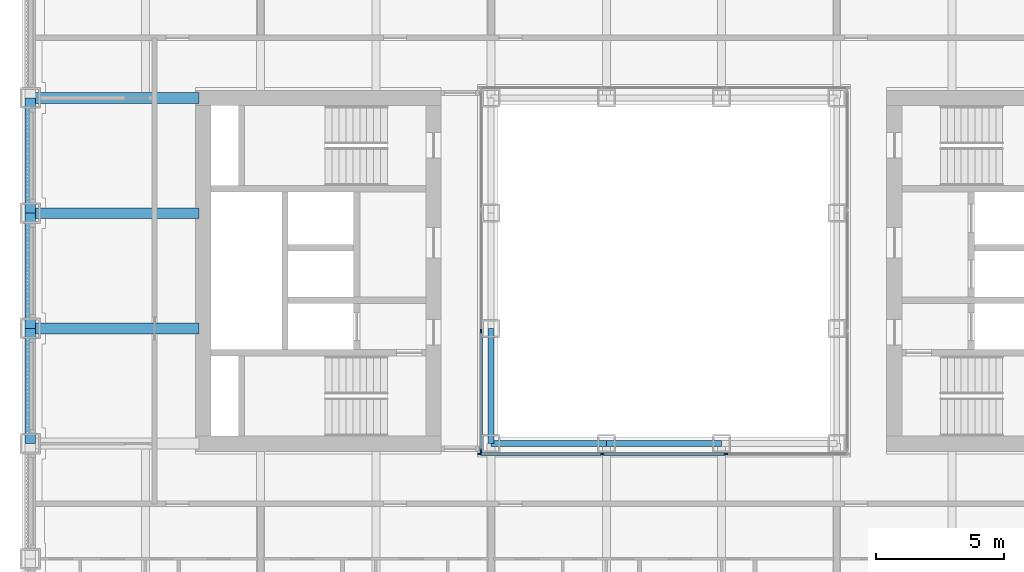
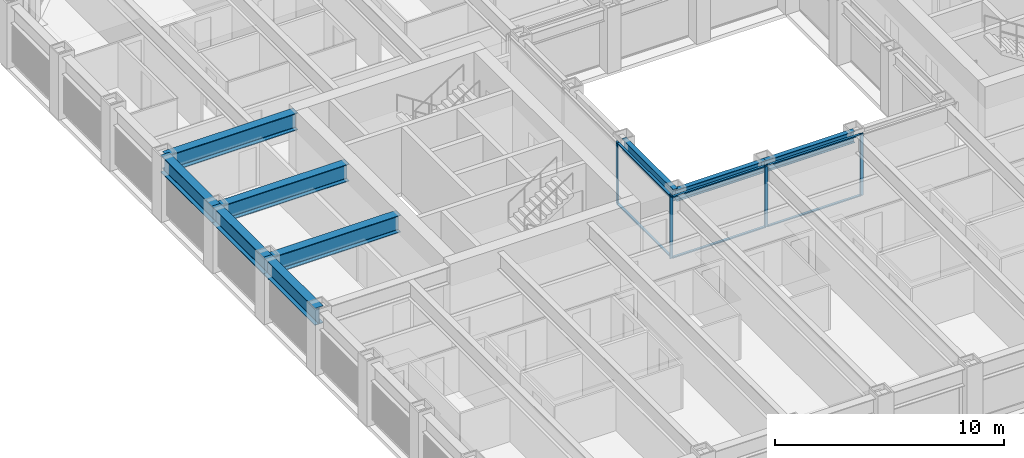
# One storey, part 3 of 21: 11 members, 9 beams, 2 elements without a shape of their own.
"""IFC4 building model written with IfcOpenShell, lengths in metres."""

import ifcopenshell
import ifcopenshell.guid

model = None  # the IFC model being written
_history = None  # IfcOwnerHistory: only IFC2X3 demands one
_inside = {}  # id of a spatial element -> (the spatial element, [elements in it])
_under = {}  # id of a project, library or spatial element -> (it, [spatial elements below it])
_declared = {}  # id of a project -> (the project, [libraries it declares])
_typed = {}  # id of a type object -> (the type object, [elements of that type])
_made_of = {}  # id of a material, layer set ... -> (it, [elements and type objects made of it])


def new_model(schema):
    """Start an empty IFC model of exactly this schema.

    Asked for "IFC4X3", IfcOpenShell would pick the latest addendum, in which some entities
    have other attributes; the version numbers below select the first issue.
    IFC2X3 requires an IfcOwnerHistory on every rooted entity: one is made here for all.
    """
    global model, _history
    if schema == "IFC4X3":
        model = ifcopenshell.file(schema_version=(4, 3, 0, 0))
    else:
        model = ifcopenshell.file(schema=schema)
    _inside.clear()
    _under.clear()
    _declared.clear()
    _typed.clear()
    _made_of.clear()
    _history = None
    if model.schema == "IFC2X3":
        org = make("IfcOrganization", Name="unknown")
        user = make(
            "IfcPersonAndOrganization",
            ThePerson=make("IfcPerson", FamilyName="unknown"),
            TheOrganization=org,
        )
        app = make(
            "IfcApplication",
            ApplicationDeveloper=org,
            Version="unknown",
            ApplicationFullName="unknown",
            ApplicationIdentifier="unknown",
        )
        _history = make(
            "IfcOwnerHistory",
            OwningUser=user,
            OwningApplication=app,
            ChangeAction="ADDED",
            CreationDate=0,
        )
    return model


def make(cls, **values):
    """One entity of the class cls with the attributes given. An attribute that is None is left unset."""
    return model.create_entity(
        cls, **{name: value for name, value in values.items() if value is not None}
    )


def rooted(cls, **values):
    """An entity with a GlobalId (a new one), such as an element, a storey or a relation."""
    return make(cls, GlobalId=ifcopenshell.guid.new(), OwnerHistory=_history, **values)


def si_unit(unit_type, name, prefix=None):
    """IfcSIUnit, for example si_unit("LENGTHUNIT", "METRE", prefix="MILLI")."""
    return make("IfcSIUnit", UnitType=unit_type, Prefix=prefix, Name=name)


def assignment(units):
    """IfcUnitAssignment: the units of a project."""
    return None if units is None else make("IfcUnitAssignment", Units=units)


def point(xyz):
    """IfcCartesianPoint."""
    return None if xyz is None else make("IfcCartesianPoint", Coordinates=xyz)


def direction(xyz):
    """IfcDirection."""
    return None if xyz is None else make("IfcDirection", DirectionRatios=xyz)


def frame(location, z_axis=None, x_axis=None):
    """IfcAxis2Placement3D, a coordinate frame: its origin and axes. An axis left out is left unset."""
    return make(
        "IfcAxis2Placement3D",
        Location=point(location),
        Axis=direction(z_axis),
        RefDirection=direction(x_axis),
    )


def frame_2d(location, x_axis=None):
    """IfcAxis2Placement2D, a coordinate frame in the plane: its origin and x axis."""
    return make(
        "IfcAxis2Placement2D", Location=point(location), RefDirection=direction(x_axis)
    )


def origin():
    """The frame at (0, 0, 0) with its axes left unset."""
    return frame((0.0, 0.0, 0.0))


def origin_2d():
    """The frame at (0, 0) in the plane with its x axis left unset."""
    return frame_2d((0.0, 0.0))


def place(relative_to, where):
    """IfcLocalPlacement: puts the frame where relative to a parent placement (None: the world)."""
    return make(
        "IfcLocalPlacement", PlacementRelTo=relative_to, RelativePlacement=where
    )


def context(
    kind, dimensions, precision=None, world=None, true_north=None, identifier=None
):
    """IfcGeometricRepresentationContext, for example the 3D "Model" context."""
    return make(
        "IfcGeometricRepresentationContext",
        ContextIdentifier=identifier,
        ContextType=kind,
        CoordinateSpaceDimension=dimensions,
        Precision=precision,
        WorldCoordinateSystem=world,
        TrueNorth=true_north,
    )


def subcontext(parent, identifier, kind, view, scale=None):
    """IfcGeometricRepresentationSubContext, for example "Body" below "Model"."""
    return make(
        "IfcGeometricRepresentationSubContext",
        ContextIdentifier=identifier,
        ContextType=kind,
        ParentContext=parent,
        TargetScale=scale,
        TargetView=view,
    )


def project(units=None, contexts=None):
    """IfcProject with its units and contexts."""
    return rooted(
        "IfcProject",
        Name="project",
        RepresentationContexts=contexts,
        UnitsInContext=assignment(units),
    )


def spatial(cls, under=None, at=None, **own):
    """A site, building, storey or space (cls), placed at a placement, below another one or the project."""
    s = rooted(cls, ObjectPlacement=at, **own)
    if under is not None:
        _under.setdefault(under.id(), (under, []))[1].append(s)
    return s


def profile(cls, at=None, kind="AREA", **sizes):
    """A parametric profile (cls). Its sizes go by their IFC names, for example OverallWidth=200.0."""
    return make(cls, ProfileType=kind, Position=at, **sizes)


def rectangle(**sizes):
    """IfcRectangleProfileDef."""
    return profile("IfcRectangleProfileDef", **sizes)


def i_section(**sizes):
    """IfcIShapeProfileDef."""
    return profile("IfcIShapeProfileDef", **sizes)


def extrude(swept, where, along, depth):
    """IfcExtrudedAreaSolid: the profile swept, set in the frame where, extruded along a direction by depth."""
    return make(
        "IfcExtrudedAreaSolid",
        SweptArea=swept,
        Position=where,
        ExtrudedDirection=direction(along),
        Depth=depth,
    )


def shape(context_of_items, identifier, shape_type, items):
    """IfcShapeRepresentation: the items that make up one representation, for example the "Body"."""
    return make(
        "IfcShapeRepresentation",
        ContextOfItems=context_of_items,
        RepresentationIdentifier=identifier,
        RepresentationType=shape_type,
        Items=items,
    )


def material(Name=None, Category=None):
    """IfcMaterial."""
    return make("IfcMaterial", Name=Name, Category=Category)


def material_profile(
    of_material, cross_section, Name=None, Category=None, Priority=None
):
    """IfcMaterialProfile: a cross section and its material."""
    return make(
        "IfcMaterialProfile",
        Name=Name,
        Material=of_material,
        Profile=cross_section,
        Priority=Priority,
        Category=Category,
    )


def profile_set(profiles, Name=None, composite=None):
    """IfcMaterialProfileSet."""
    return make(
        "IfcMaterialProfileSet",
        Name=Name,
        MaterialProfiles=profiles,
        CompositeProfile=composite,
    )


def made_of(thing, what):
    """Note that an element or type object is made of a material, layer set ...; save() writes the relation."""
    if what is not None:
        _made_of.setdefault(what.id(), (what, []))[1].append(thing)
    return thing


def type_object(cls, material=None, **own):
    """A type object (cls), such as IfcWallType, which elements share."""
    return made_of(rooted(cls, **own), material)


def element(
    cls,
    number,
    at=None,
    inside=None,
    cuts=None,
    type_object=None,
    material=None,
    context=None,
    identifier="Body",
    shape_type=None,
    held_by="IfcProductDefinitionShape",
    body=None,
    shapes=None,
    **own,
):
    """One element of the class cls, such as IfcWall. Its Tag is "e" and its number.

    at: its placement. inside: the storey or other place that contains it. cuts: it is an
    opening in that element (IfcRelVoidsElement). A single representation is given by context,
    identifier, shape_type and body (its items); several are given by shapes. held_by: the class
    of the entity that holds the representations. save() writes the other relations.
    """
    e = rooted(cls, Tag="e%d" % number, ObjectPlacement=at, **own)
    if body is not None:
        shapes = [shape(context, identifier, shape_type, body)]
    if shapes is not None:
        e.Representation = make(held_by, Representations=shapes)
    if inside is not None:
        _inside.setdefault(inside.id(), (inside, []))[1].append(e)
    if cuts is not None:
        rooted(
            "IfcRelVoidsElement", RelatingBuildingElement=cuts, RelatedOpeningElement=e
        )
    if type_object is not None:
        _typed.setdefault(type_object.id(), (type_object, []))[1].append(e)
    return made_of(e, material)


def aggregate(whole, parts):
    """IfcRelAggregates: a whole, such as a stair, and the parts it consists of."""
    return rooted("IfcRelAggregates", RelatingObject=whole, RelatedObjects=parts)


def save(model, path):
    """Write the relations noted so far, then the file.

    IfcRelAggregates (storeys below a building ...), IfcRelContainedInSpatialStructure (elements
    in a storey), IfcRelDefinesByType, IfcRelAssociatesMaterial and IfcRelDeclares: one each for
    every whole, place, type object, material and project.
    """
    for whole, parts in _under.values():
        aggregate(whole, parts)
    for where, things in _inside.values():
        rooted(
            "IfcRelContainedInSpatialStructure",
            RelatedElements=things,
            RelatingStructure=where,
        )
    for kind, things in _typed.values():
        rooted("IfcRelDefinesByType", RelatedObjects=things, RelatingType=kind)
    for what, things in _made_of.values():
        rooted("IfcRelAssociatesMaterial", RelatedObjects=things, RelatingMaterial=what)
    for by, libraries in _declared.values():
        rooted("IfcRelDeclares", RelatingContext=by, RelatedDefinitions=libraries)
    model.write(path)


model = new_model("IFC4")

# Units and contexts
model_context = context("Model", 3, precision=1e-05, world=origin(), true_north=direction((0.0, 1.0)))
body_context = subcontext(model_context, "Body", "Model", "MODEL_VIEW")
ifc_project = project(units=[si_unit("LENGTHUNIT", "METRE"), si_unit("AREAUNIT", "SQUARE_METRE"), si_unit("VOLUMEUNIT", "CUBIC_METRE"), si_unit("PLANEANGLEUNIT", "RADIAN"), si_unit("MASSUNIT", "GRAM", prefix="KILO")], contexts=[model_context])

# Site, building, storey
site_placement = place(None, origin())
site = spatial("IfcSite", under=ifc_project, at=site_placement, CompositionType="ELEMENT")
building_placement = place(site_placement, origin())
building = spatial("IfcBuilding", under=site, at=building_placement, Name="Msasa Ring Tower", CompositionType="ELEMENT")
storey_placement = place(building_placement, frame((0.0, 0.0, 51.0)))
storey = spatial("IfcBuildingStorey", under=building, at=storey_placement, Name="L12", CompositionType="ELEMENT", Elevation=51.0)

# Curtain wall, members
ifc_material_1 = material(Name="Aluminium curtain wall with clear glass", Category="aluminium")
curtain_wall_type = type_object("IfcCurtainWallType", Name="CW-W LIGHT WELL CURTAIN WALL", PredefinedType="NOTDEFINED", material=ifc_material_1)
curtain_wall_1_placement = place(storey_placement, origin())
curtain_wall_1 = element("IfcCurtainWall", 1, at=curtain_wall_1_placement, inside=storey, type_object=curtain_wall_type, Name="Light well curtain wall S L12", PredefinedType="NOTDEFINED")
ifc_material_2 = material(Name="Aluminium mullion", Category="aluminium")
ifc_material_profile_1 = material_profile(ifc_material_2, rectangle(XDim=0.06005859375, YDim=0.159912109375, at=origin_2d()), Name="AL 60x160")
ifc_profile_set_1 = profile_set([ifc_material_profile_1], Name="Aluminium mullion")
member_type_1 = type_object("IfcMemberType", Name="CW-W MULLION 60x160", PredefinedType="MULLION", material=ifc_profile_set_1)
member_1_placement = place(storey_placement, frame((-7.199951171875, -7.14990234375, 0.0), z_axis=(0.0, 0.0, 1.0), x_axis=(0.0, 1.0, 0.0)))
member_1 = element("IfcMember", 2, at=member_1_placement, type_object=member_type_1, Name="CW-W mullion 1", PredefinedType="MULLION", context=body_context, shape_type="SweptSolid", body=[
    extrude(rectangle(XDim=0.06005859375, YDim=0.159912109375, at=origin_2d()), origin(), (0.0, 0.0, 1.0), 3.300048828125),
])
member_2_placement = place(storey_placement, frame((-2.409912109375, -7.14990234375, 0.0), z_axis=(0.0, 0.0, 1.0), x_axis=(0.0, 1.0, 0.0)))
member_2 = element("IfcMember", 3, at=member_2_placement, type_object=member_type_1, Name="CW-W mullion 2", PredefinedType="MULLION", context=body_context, shape_type="SweptSolid", body=[
    extrude(rectangle(XDim=0.06005859375, YDim=0.159912109375, at=origin_2d()), origin(), (0.0, 0.0, 1.0), 3.300048828125),
])
member_3_placement = place(storey_placement, frame((2.409912109375, -7.14990234375, 0.0), z_axis=(0.0, 0.0, 1.0), x_axis=(0.0, 1.0, 0.0)))
member_3 = element("IfcMember", 4, at=member_3_placement, type_object=member_type_1, Name="CW-W mullion 3", PredefinedType="MULLION", context=body_context, shape_type="SweptSolid", body=[
    extrude(rectangle(XDim=0.06005859375, YDim=0.159912109375, at=origin_2d()), origin(), (0.0, 0.0, 1.0), 3.300048828125),
])

curtain_wall_2_placement = place(storey_placement, origin())
curtain_wall_2 = element("IfcCurtainWall", 5, at=curtain_wall_2_placement, inside=storey, type_object=curtain_wall_type, Name="Light well curtain wall W L12", PredefinedType="NOTDEFINED")
member_4_placement = place(storey_placement, frame((-7.14990234375, -7.0400390625, 0.0), z_axis=(0.0, 0.0, 1.0), x_axis=(-1.0, 0.0, 0.0)))
member_4 = element("IfcMember", 6, at=member_4_placement, type_object=member_type_1, Name="CW-W mullion 1", PredefinedType="MULLION", context=body_context, shape_type="SweptSolid", body=[
    extrude(rectangle(XDim=0.06005859375, YDim=0.159912109375, at=origin_2d()), origin(), (0.0, 0.0, 1.0), 3.300048828125),
])
member_5_placement = place(storey_placement, frame((-7.14990234375, -2.356689453125, 0.0), z_axis=(0.0, 0.0, 1.0), x_axis=(-1.0, 0.0, 0.0)))
member_5 = element("IfcMember", 7, at=member_5_placement, type_object=member_type_1, Name="CW-W mullion 2", PredefinedType="MULLION", context=body_context, shape_type="SweptSolid", body=[
    extrude(rectangle(XDim=0.06005859375, YDim=0.159912109375, at=origin_2d()), origin(), (0.0, 0.0, 1.0), 3.300048828125),
])

# Member
ifc_material_3 = material(Name="Aluminium transom", Category="aluminium")
ifc_material_profile_2 = material_profile(ifc_material_3, rectangle(XDim=0.1201171875, YDim=0.06005859375, at=origin_2d()), Name="AL 60x120")
ifc_profile_set_2 = profile_set([ifc_material_profile_2], Name="Aluminium transom")
member_type_2 = type_object("IfcMemberType", Name="CW-W TRANSOM 60x120", PredefinedType="USERDEFINED", material=ifc_profile_set_2)
member_6_placement = place(storey_placement, frame((-7.169921875, -7.14990234375, 0.030029296875), z_axis=(1.0, 0.0, 0.0), x_axis=(0.0, 1.0, 0.0)))
member_6 = element("IfcMember", 8, at=member_6_placement, type_object=member_type_2, Name="CW-W transom 1.1", ObjectType="TRANSOM", PredefinedType="USERDEFINED", context=body_context, shape_type="SweptSolid", body=[
    extrude(rectangle(XDim=0.1201171875, YDim=0.06005859375, at=origin_2d()), origin(), (0.0, 0.0, 1.0), 4.72998046875),
])

member_7_placement = place(storey_placement, frame((-7.169921875, -7.14990234375, 3.27001953125), z_axis=(1.0, 0.0, 0.0), x_axis=(0.0, 1.0, 0.0)))
member_7 = element("IfcMember", 9, at=member_7_placement, type_object=member_type_2, Name="CW-W transom 1.2", ObjectType="TRANSOM", PredefinedType="USERDEFINED", context=body_context, shape_type="SweptSolid", body=[
    extrude(rectangle(XDim=0.1201171875, YDim=0.06005859375, at=origin_2d()), origin(), (0.0, 0.0, 1.0), 4.72998046875),
])

member_8_placement = place(storey_placement, frame((-2.3798828125, -7.14990234375, 0.030029296875), z_axis=(1.0, 0.0, 0.0), x_axis=(0.0, 1.0, 0.0)))
member_8 = element("IfcMember", 10, at=member_8_placement, type_object=member_type_2, Name="CW-W transom 2.1", ObjectType="TRANSOM", PredefinedType="USERDEFINED", context=body_context, shape_type="SweptSolid", body=[
    extrude(rectangle(XDim=0.1201171875, YDim=0.06005859375, at=origin_2d()), origin(), (0.0, 0.0, 1.0), 4.759765625),
])

member_9_placement = place(storey_placement, frame((-2.3798828125, -7.14990234375, 3.27001953125), z_axis=(1.0, 0.0, 0.0), x_axis=(0.0, 1.0, 0.0)))
member_9 = element("IfcMember", 11, at=member_9_placement, type_object=member_type_2, Name="CW-W transom 2.2", ObjectType="TRANSOM", PredefinedType="USERDEFINED", context=body_context, shape_type="SweptSolid", body=[
    extrude(rectangle(XDim=0.1201171875, YDim=0.06005859375, at=origin_2d()), origin(), (0.0, 0.0, 1.0), 4.759765625),
])

aggregate(curtain_wall_1, [member_1, member_2, member_3, member_6, member_7, member_8, member_9])

member_10_placement = place(storey_placement, frame((-7.14990234375, -7.010009765625, 0.030029296875), z_axis=(0.0, 1.0, 0.0), x_axis=(-1.0, 0.0, 0.0)))
member_10 = element("IfcMember", 12, at=member_10_placement, type_object=member_type_2, Name="CW-W transom 1.1", ObjectType="TRANSOM", PredefinedType="USERDEFINED", context=body_context, shape_type="SweptSolid", body=[
    extrude(rectangle(XDim=0.1201171875, YDim=0.06005859375, at=origin_2d()), origin(), (0.0, 0.0, 1.0), 4.623291015625),
])

member_11_placement = place(storey_placement, frame((-7.14990234375, -7.010009765625, 3.27001953125), z_axis=(0.0, 1.0, 0.0), x_axis=(-1.0, 0.0, 0.0)))
member_11 = element("IfcMember", 13, at=member_11_placement, type_object=member_type_2, Name="CW-W transom 1.2", ObjectType="TRANSOM", PredefinedType="USERDEFINED", context=body_context, shape_type="SweptSolid", body=[
    extrude(rectangle(XDim=0.1201171875, YDim=0.06005859375, at=origin_2d()), origin(), (0.0, 0.0, 1.0), 4.623291015625),
])

aggregate(curtain_wall_2, [member_4, member_5, member_10, member_11])

# Beams
ifc_material_4 = material(Name="Steel S355", Category="steel")
ifc_material_profile_3 = material_profile(ifc_material_4, i_section(OverallWidth=0.42041015625, OverallDepth=0.9208984375, WebThickness=0.021484375, FlangeThickness=0.03662109375, FilletRadius=0.024169921875, at=origin_2d()), Name="UB 914x419x388")
ifc_profile_set_3 = profile_set([ifc_material_profile_3], Name="Steel S355")
beam_type_1 = type_object("IfcBeamType", Name="FB2 UB 914x419x388", PredefinedType="BEAM", material=ifc_profile_set_3)
for number, where, z_axis, x_axis, name in (
    (14, (-24.75, -2.25, 2.839599609375), (1.0, 0.0, 0.0), (0.0, 1.0, 0.0), "Floor beam W -2.25 under L13"),
    (15, (-24.75, 2.25, 2.839599609375), (1.0, 0.0, 0.0), (0.0, 1.0, 0.0), "Floor beam W +2.25 under L13"),
):
    element("IfcBeam", number, at=place(storey_placement, frame(where, z_axis=z_axis, x_axis=x_axis)), inside=storey, type_object=beam_type_1, Name=name, PredefinedType="BEAM", context=body_context, shape_type="SweptSolid", body=[
        extrude(i_section(OverallWidth=0.42041015625, OverallDepth=0.9208984375, WebThickness=0.021484375, FlangeThickness=0.03662109375, FilletRadius=0.024169921875, at=origin_2d()), origin(), (0.0, 0.0, 1.0), 6.60009765625),
    ])
ifc_material_5 = material(Name="Steel S355", Category="steel")
ifc_material_profile_4 = material_profile(ifc_material_5, i_section(OverallWidth=0.42041015625, OverallDepth=0.9208984375, WebThickness=0.021484375, FlangeThickness=0.03662109375, FilletRadius=0.024169921875, at=origin_2d()), Name="UB 914x419x388")
ifc_profile_set_4 = profile_set([ifc_material_profile_4], Name="Steel S355")
beam_type_2 = type_object("IfcBeamType", Name="GB1 UB 914x419x388", PredefinedType="BEAM", material=ifc_profile_set_4)
beam_placement = place(storey_placement, frame((-18.14990234375, 6.75, 2.839599609375), z_axis=(-1.0, 0.0, 0.0), x_axis=(0.0, -1.0, 0.0)))
element("IfcBeam", 16, at=beam_placement, inside=storey, type_object=beam_type_2, Name="Girder W +6.75 under L13", PredefinedType="BEAM", context=body_context, shape_type="SweptSolid", body=[
    extrude(i_section(OverallWidth=0.42041015625, OverallDepth=0.9208984375, WebThickness=0.021484375, FlangeThickness=0.03662109375, FilletRadius=0.024169921875, at=origin_2d()), origin(), (0.0, 0.0, 1.0), 6.60009765625),
])
ifc_material_6 = material(Name="Steel S355", Category="steel")
ifc_material_profile_5 = material_profile(ifc_material_6, i_section(OverallWidth=0.230224609375, OverallDepth=0.6171875, WebThickness=0.01318359375, FlangeThickness=0.022216796875, FilletRadius=0.0126953125, at=origin_2d()), Name="UB 610x229x140")
ifc_profile_set_5 = profile_set([ifc_material_profile_5], Name="Steel S355")
beam_type_3 = type_object("IfcBeamType", Name="RB1 UB 610x229x140", PredefinedType="BEAM", material=ifc_profile_set_5)
for number, where, z_axis, x_axis, name in (
    (17, (-6.75, -2.25, 2.991455078125), (0.0, -1.0, 0.0), (1.0, 0.0, 0.0), "Inner ring beam IR-6.75-2.25 under L13"),
    (18, (-6.75, -6.75, 2.991455078125), (1.0, 0.0, 0.0), (0.0, 1.0, 0.0), "Inner ring beam IR-6.75-6.75 under L13"),
    (19, (-2.25, -6.75, 2.991455078125), (1.0, 0.0, 0.0), (0.0, 1.0, 0.0), "Inner ring beam IR-2.25-6.75 under L13"),
):
    element("IfcBeam", number, at=place(storey_placement, frame(where, z_axis=z_axis, x_axis=x_axis)), inside=storey, type_object=beam_type_3, Name=name, PredefinedType="BEAM", context=body_context, shape_type="SweptSolid", body=[
        extrude(i_section(OverallWidth=0.230224609375, OverallDepth=0.6171875, WebThickness=0.01318359375, FlangeThickness=0.022216796875, FilletRadius=0.0126953125, at=origin_2d()), origin(), (0.0, 0.0, 1.0), 4.5),
    ])
ifc_material_7 = material(Name="Steel S355", Category="steel")
ifc_material_profile_6 = material_profile(ifc_material_7, i_section(OverallWidth=0.42041015625, OverallDepth=0.9208984375, WebThickness=0.021484375, FlangeThickness=0.03662109375, FilletRadius=0.024169921875, at=origin_2d()), Name="UB 914x419x388")
ifc_profile_set_6 = profile_set([ifc_material_profile_6], Name="Steel S355")
beam_type_4 = type_object("IfcBeamType", Name="SB1 UB 914x419x388", PredefinedType="SPANDREL", material=ifc_profile_set_6)
for number, where, z_axis, x_axis, name in (
    (20, (-24.75, -2.25, 2.839599609375), (0.0, -1.0, 0.0), (1.0, 0.0, 0.0), "Spandrel W-2.25 to W-6.75 under L13"),
    (21, (-24.75, 6.75, 2.839599609375), (0.0, -1.0, 0.0), (1.0, 0.0, 0.0), "Spandrel W+6.75 to W+2.25 under L13"),
    (22, (-24.75, 2.25, 2.839599609375), (0.0, -1.0, 0.0), (1.0, 0.0, 0.0), "Spandrel W+2.25 to W-2.25 under L13"),
):
    element("IfcBeam", number, at=place(storey_placement, frame(where, z_axis=z_axis, x_axis=x_axis)), inside=storey, type_object=beam_type_4, Name=name, PredefinedType="SPANDREL", context=body_context, shape_type="SweptSolid", body=[
        extrude(i_section(OverallWidth=0.42041015625, OverallDepth=0.9208984375, WebThickness=0.021484375, FlangeThickness=0.03662109375, FilletRadius=0.024169921875, at=origin_2d()), origin(), (0.0, 0.0, 1.0), 4.5),
    ])

save(model, "model.ifc")
